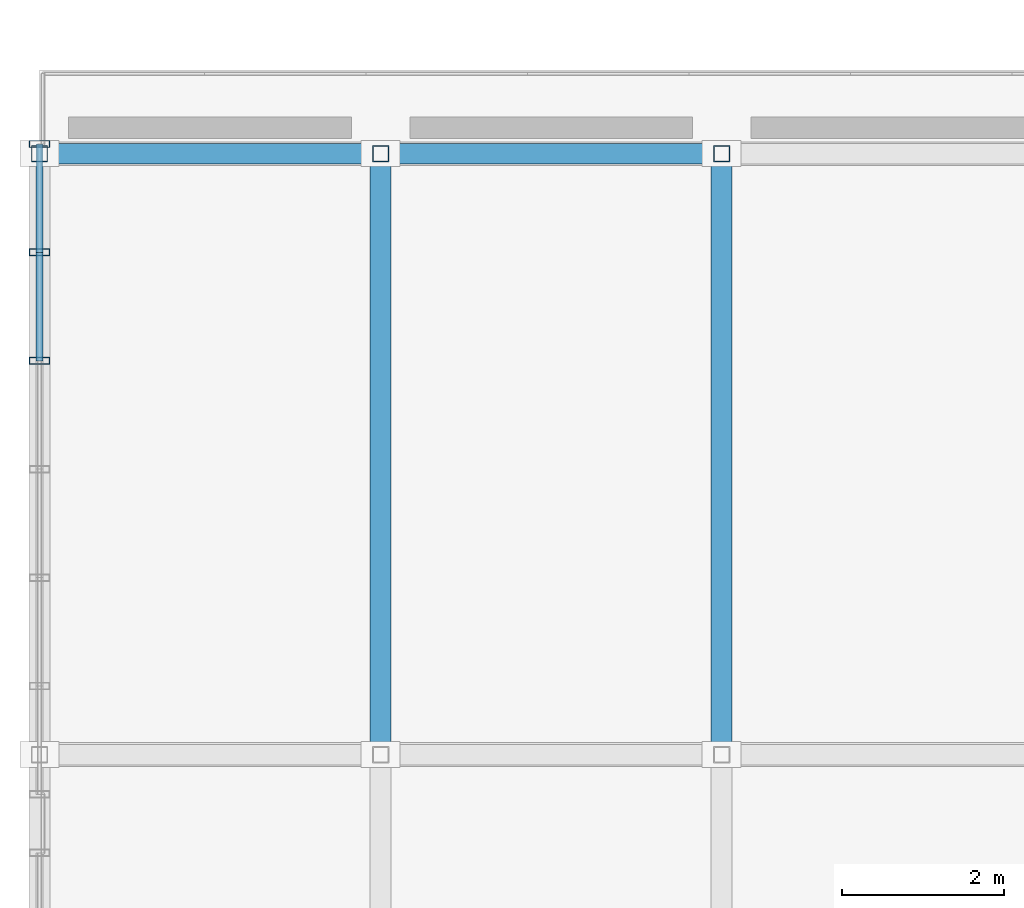
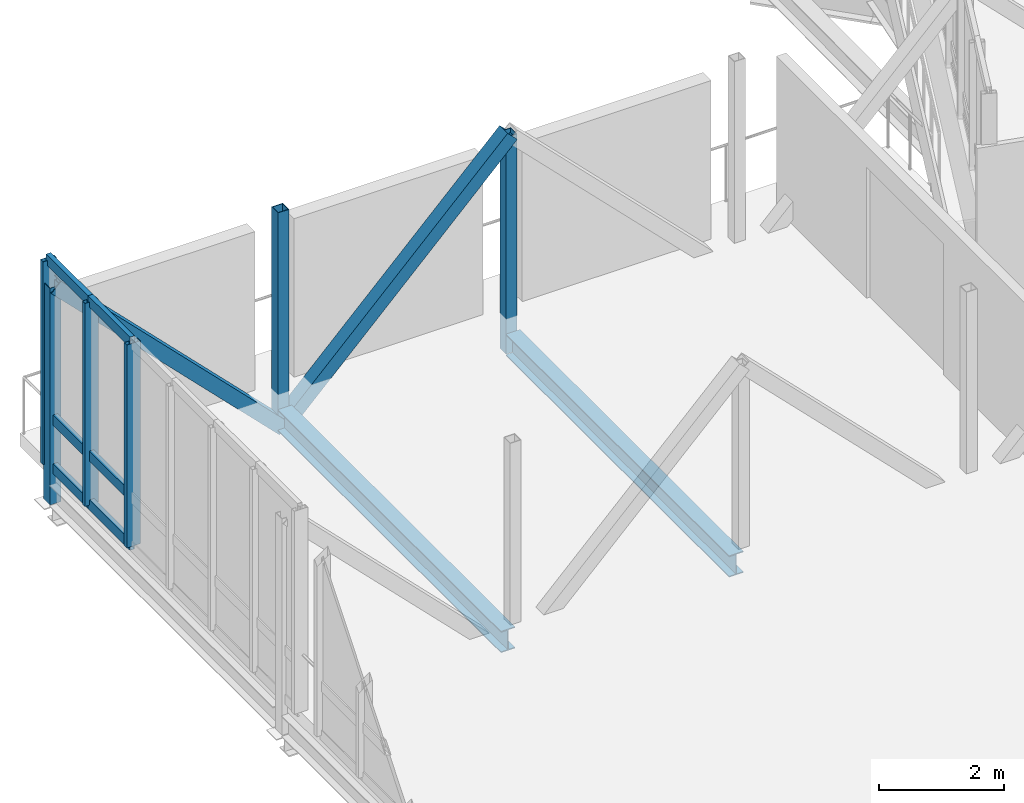
# One storey, part 41 of 107: 14 members, 2 beams, 1 element without a shape of its own.
"""IFC4 building model written with IfcOpenShell, lengths in metres."""

from ifc_helpers import new_model, si_unit, derived_unit, direction, frame, origin, origin_2d, place, context, subcontext, project, spatial, hollow_rectangle, i_section, extrude, material, layer, layer_set, material_profile, profile_set, type_object, element, aggregate, save


model = new_model("IFC4")

# Units and contexts
model_context = context("Model", 3, precision=1e-05, world=origin(), true_north=direction((0.0, 1.0)))
body_context = subcontext(model_context, "Body", "Model", "MODEL_VIEW")
ifc_project = project(units=[si_unit("LENGTHUNIT", "METRE"), si_unit("AREAUNIT", "SQUARE_METRE"), si_unit("VOLUMEUNIT", "CUBIC_METRE"), si_unit("PLANEANGLEUNIT", "RADIAN"), si_unit("MASSUNIT", "GRAM", prefix="KILO"), derived_unit("THERMALTRANSMITTANCEUNIT", [(si_unit("MASSUNIT", "GRAM", prefix="KILO"), 1), (si_unit("TIMEUNIT", "SECOND"), -3), (si_unit("THERMODYNAMICTEMPERATUREUNIT", "KELVIN"), -1)])], contexts=[model_context])

# Site, building, storey
site_placement = place(None, origin())
site = spatial("IfcSite", under=ifc_project, at=site_placement, CompositionType="ELEMENT")
building_placement = place(site_placement, origin())
building = spatial("IfcBuilding", under=site, at=building_placement, Name="Makaiwela Harbour Ferry Terminal", CompositionType="ELEMENT")
storey_placement = place(building_placement, frame((0.0, 0.0, 9.60009765625)))
storey = spatial("IfcBuildingStorey", under=building, at=storey_placement, Name="L02", CompositionType="ELEMENT", Elevation=9.60009765625)

# Curtain wall, members
ifc_material_1 = material(Name="Marine anodised aluminium 6063-T6", Category="aluminium")
ifc_layer = layer(ifc_material_1, 0.199951171875)
ifc_layer_set = layer_set([ifc_layer], Name="Marine anodised aluminium 6063-T6")
curtain_wall_type = type_object("IfcCurtainWallType", Name="ENV-CW-23", PredefinedType="USERDEFINED", material=ifc_layer_set)
curtain_wall_placement = place(storey_placement, origin())
curtain_wall = element("IfcCurtainWall", 1, at=curtain_wall_placement, inside=storey, type_object=curtain_wall_type, Name="Unitised Curtain Wall CWA-139", ObjectType="UNITIZED CURTAIN WALL", PredefinedType="USERDEFINED")
ifc_material_profile_1 = material_profile(ifc_material_1, hollow_rectangle(XDim=0.0849609375, YDim=0.25, WallThickness=0.0048828125, at=origin_2d()), Name="CWM-250X85")
ifc_profile_set_1 = profile_set([ifc_material_profile_1], Name="Marine anodised aluminium 6063-T6")
member_type_1 = type_object("IfcMemberType", Name="CW-MUL-250", PredefinedType="MULLION", material=ifc_profile_set_1)
member_1_placement = place(storey_placement, frame((0.0, 73.300048828125, 0.0), z_axis=(0.0, 0.0, 1.0), x_axis=(0.0, 1.0, 0.0)))
member_1 = element("IfcMember", 2, at=member_1_placement, type_object=member_type_1, Name="Curtain Wall Mullion CWA-139-5", PredefinedType="MULLION", context=body_context, shape_type="SweptSolid", body=[
    extrude(hollow_rectangle(XDim=0.0849609375, YDim=0.25, WallThickness=0.0048828125, at=origin_2d()), origin(), (0.0, 0.0, 1.0), 3.949951171875),
])
member_2_placement = place(storey_placement, frame((0.0, 74.635009765625, 0.0), z_axis=(0.0, 0.0, 1.0), x_axis=(0.0, 1.0, 0.0)))
member_2 = element("IfcMember", 3, at=member_2_placement, type_object=member_type_1, Name="Curtain Wall Mullion CWA-139-6", PredefinedType="MULLION", context=body_context, shape_type="SweptSolid", body=[
    extrude(hollow_rectangle(XDim=0.0849609375, YDim=0.25, WallThickness=0.0048828125, at=origin_2d()), origin(), (0.0, 0.0, 1.0), 3.949951171875),
])
member_3_placement = place(storey_placement, frame((0.0, 75.969970703125, 0.0), z_axis=(0.0, 0.0, 1.0), x_axis=(0.0, 1.0, 0.0)))
member_3 = element("IfcMember", 4, at=member_3_placement, type_object=member_type_1, Name="Curtain Wall Mullion CWA-139-7", PredefinedType="MULLION", context=body_context, shape_type="SweptSolid", body=[
    extrude(hollow_rectangle(XDim=0.0849609375, YDim=0.25, WallThickness=0.0048828125, at=origin_2d()), origin(), (0.0, 0.0, 1.0), 3.949951171875),
])
ifc_material_profile_2 = material_profile(ifc_material_1, hollow_rectangle(XDim=0.0849609375, YDim=0.199951171875, WallThickness=0.0048828125, at=origin_2d()), Name="CWT-200X85")
ifc_profile_set_2 = profile_set([ifc_material_profile_2], Name="Marine anodised aluminium 6063-T6")
member_type_2 = type_object("IfcMemberType", Name="CW-TRN-200", PredefinedType="USERDEFINED", material=ifc_profile_set_2)
member_4_placement = place(storey_placement, frame((0.0, 73.300048828125, 0.0), z_axis=(0.0, 1.0, 0.0), x_axis=(-1.0, 0.0, 0.0)))
member_4 = element("IfcMember", 5, at=member_4_placement, type_object=member_type_2, Name="Curtain Wall Transom CWA-139-5-1", ObjectType="TRANSOM", PredefinedType="USERDEFINED", context=body_context, shape_type="SweptSolid", body=[
    extrude(hollow_rectangle(XDim=0.0849609375, YDim=0.199951171875, WallThickness=0.0048828125, at=origin_2d()), origin(), (0.0, 0.0, 1.0), 1.3349609375),
])
member_5_placement = place(storey_placement, frame((0.0, 73.300048828125, 0.949951171875), z_axis=(0.0, 1.0, 0.0), x_axis=(-1.0, 0.0, 0.0)))
member_5 = element("IfcMember", 6, at=member_5_placement, type_object=member_type_2, Name="Curtain Wall Transom CWA-139-5-2", ObjectType="TRANSOM", PredefinedType="USERDEFINED", context=body_context, shape_type="SweptSolid", body=[
    extrude(hollow_rectangle(XDim=0.0849609375, YDim=0.199951171875, WallThickness=0.0048828125, at=origin_2d()), origin(), (0.0, 0.0, 1.0), 1.3349609375),
])
member_6_placement = place(storey_placement, frame((0.0, 73.300048828125, 3.949951171875), z_axis=(0.0, 1.0, 0.0), x_axis=(-1.0, 0.0, 0.0)))
member_6 = element("IfcMember", 7, at=member_6_placement, type_object=member_type_2, Name="Curtain Wall Transom CWA-139-5-3", ObjectType="TRANSOM", PredefinedType="USERDEFINED", context=body_context, shape_type="SweptSolid", body=[
    extrude(hollow_rectangle(XDim=0.0849609375, YDim=0.199951171875, WallThickness=0.0048828125, at=origin_2d()), origin(), (0.0, 0.0, 1.0), 1.3349609375),
])
member_7_placement = place(storey_placement, frame((0.0, 74.635009765625, 0.0), z_axis=(0.0, 1.0, 0.0), x_axis=(-1.0, 0.0, 0.0)))
member_7 = element("IfcMember", 8, at=member_7_placement, type_object=member_type_2, Name="Curtain Wall Transom CWA-139-6-1", ObjectType="TRANSOM", PredefinedType="USERDEFINED", context=body_context, shape_type="SweptSolid", body=[
    extrude(hollow_rectangle(XDim=0.0849609375, YDim=0.199951171875, WallThickness=0.0048828125, at=origin_2d()), origin(), (0.0, 0.0, 1.0), 1.3349609375),
])
member_8_placement = place(storey_placement, frame((0.0, 74.635009765625, 0.949951171875), z_axis=(0.0, 1.0, 0.0), x_axis=(-1.0, 0.0, 0.0)))
member_8 = element("IfcMember", 9, at=member_8_placement, type_object=member_type_2, Name="Curtain Wall Transom CWA-139-6-2", ObjectType="TRANSOM", PredefinedType="USERDEFINED", context=body_context, shape_type="SweptSolid", body=[
    extrude(hollow_rectangle(XDim=0.0849609375, YDim=0.199951171875, WallThickness=0.0048828125, at=origin_2d()), origin(), (0.0, 0.0, 1.0), 1.3349609375),
])
member_9_placement = place(storey_placement, frame((0.0, 74.635009765625, 3.949951171875), z_axis=(0.0, 1.0, 0.0), x_axis=(-1.0, 0.0, 0.0)))
member_9 = element("IfcMember", 10, at=member_9_placement, type_object=member_type_2, Name="Curtain Wall Transom CWA-139-6-3", ObjectType="TRANSOM", PredefinedType="USERDEFINED", context=body_context, shape_type="SweptSolid", body=[
    extrude(hollow_rectangle(XDim=0.0849609375, YDim=0.199951171875, WallThickness=0.0048828125, at=origin_2d()), origin(), (0.0, 0.0, 1.0), 1.3349609375),
])
aggregate(curtain_wall, [member_1, member_2, member_3, member_4, member_5, member_6, member_7, member_8, member_9])

# Members
ifc_material_2 = material(Name="Steel ASTM A500 Grade C", Category="steel")
ifc_material_profile_3 = material_profile(ifc_material_2, hollow_rectangle(XDim=0.25390625, YDim=0.25390625, WallThickness=0.0146484375, at=origin_2d()), Name="HSS10X10X5/8")
ifc_profile_set_3 = profile_set([ifc_material_profile_3], Name="Steel ASTM A500 Grade C")
member_type_3 = type_object("IfcMemberType", Name="STR-BRC-HSS10", PredefinedType="BRACE", material=ifc_profile_set_3)
for number, where, z_axis, x_axis, name in (
    (11, (8.39990234375, 75.85009765625, 3.534423828125), (-0.705423542875, 0.0, -0.708786022124), (0.0, -1.0, 0.0), "Structural Member BR-01"),
    (12, (4.199951171875, 75.85009765625, -0.685546875), (-0.705423542875, 0.0, 0.708786022124), (0.0, -1.0, 0.0), "Structural Member BR-01"),
):
    element("IfcMember", number, at=place(storey_placement, frame(where, z_axis=z_axis, x_axis=x_axis)), inside=storey, type_object=member_type_3, Name=name, PredefinedType="BRACE", context=body_context, shape_type="SweptSolid", body=[
        extrude(hollow_rectangle(XDim=0.25390625, YDim=0.25390625, WallThickness=0.0146484375, at=origin_2d()), origin(), (0.0, 0.0, 1.0), 5.953857421875),
    ])

# Beams
ifc_material_3 = material(Name="Steel ASTM A992 Grade 50", Category="steel")
ifc_material_profile_4 = material_profile(ifc_material_3, i_section(OverallWidth=0.260986328125, OverallDepth=0.4189453125, WebThickness=0.01171875, FlangeThickness=0.019287109375, at=origin_2d()), Name="W16X77")
ifc_profile_set_4 = profile_set([ifc_material_profile_4], Name="Steel ASTM A992 Grade 50")
beam_type = type_object("IfcBeamType", Name="STR-JST-W16X77", PredefinedType="JOIST", material=ifc_profile_set_4)
for number, where, z_axis, x_axis, name in (
    (13, (8.39990234375, 68.591064453125, -0.469482421875), (0.0, 1.0, 0.0), (-1.0, 0.0, 0.0), "Structural Beam J-02"),
    (14, (4.199951171875, 68.591064453125, -0.469482421875), (0.0, 1.0, 0.0), (-1.0, 0.0, 0.0), "Structural Beam J-02"),
):
    element("IfcBeam", number, at=place(storey_placement, frame(where, z_axis=z_axis, x_axis=x_axis)), inside=storey, type_object=beam_type, Name=name, PredefinedType="JOIST", context=body_context, shape_type="SweptSolid", body=[
        extrude(i_section(OverallWidth=0.260986328125, OverallDepth=0.4189453125, WebThickness=0.01171875, FlangeThickness=0.019287109375, at=origin_2d()), origin(), (0.0, 0.0, 1.0), 7.117919921875),
    ])

# Members
ifc_material_profile_5 = material_profile(ifc_material_2, hollow_rectangle(XDim=0.202880859375, YDim=0.202880859375, WallThickness=0.01171875, at=origin_2d()), Name="HSS8X8X1/2")
ifc_profile_set_5 = profile_set([ifc_material_profile_5], Name="Steel ASTM A500 Grade C")
member_type_4 = type_object("IfcMemberType", Name="STR-PST-HSS8", PredefinedType="POST", material=ifc_profile_set_5)
for number, where, z_axis, x_axis, name in (
    (15, (8.39990234375, 75.85009765625, -0.685546875), (0.0, 0.0, 1.0), (1.0, 0.0, 0.0), "Structural Member PS-01"),
    (16, (4.199951171875, 75.85009765625, -0.685546875), (0.0, 0.0, 1.0), (1.0, 0.0, 0.0), "Structural Member PS-01"),
    (17, (0.0, 75.85009765625, -0.685546875), (0.0, 0.0, 1.0), (1.0, 0.0, 0.0), "Structural Member PS-01"),
):
    element("IfcMember", number, at=place(storey_placement, frame(where, z_axis=z_axis, x_axis=x_axis)), inside=storey, type_object=member_type_4, Name=name, PredefinedType="POST", context=body_context, shape_type="SweptSolid", body=[
        extrude(hollow_rectangle(XDim=0.202880859375, YDim=0.202880859375, WallThickness=0.01171875, at=origin_2d()), origin(), (0.0, 0.0, 1.0), 4.219970703125),
    ])

save(model, "model.ifc")
